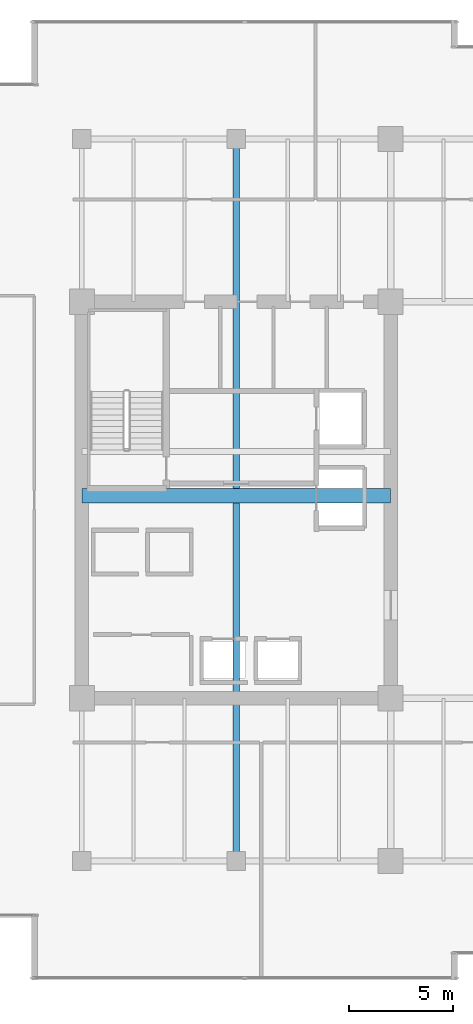
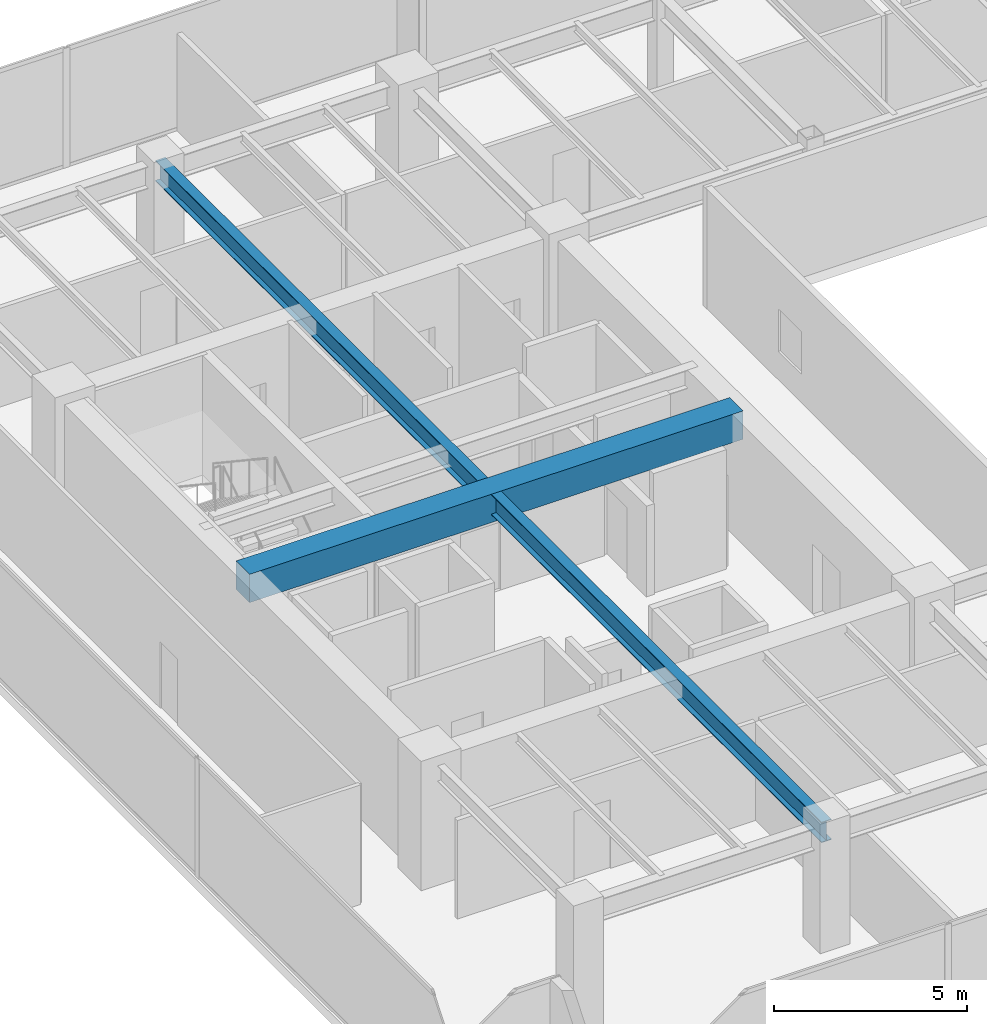
# One storey, part 7 of 30: 2 beams.
"""IFC4 building model written with IfcOpenShell, lengths in metres."""

from ifc_helpers import new_model, si_unit, direction, frame, origin, origin_2d, place, context, subcontext, project, spatial, rectangle, i_section, extrude, source, transform, mapped, material, material_profile, profile_set, type_object, type_shapes, element, save


model = new_model("IFC4")

# Units and contexts
model_context = context("Model", 3, precision=1e-05, world=origin(), true_north=direction((0.0, 1.0)))
body_context = subcontext(model_context, "Body", "Model", "MODEL_VIEW")
ifc_project = project(units=[si_unit("LENGTHUNIT", "METRE"), si_unit("AREAUNIT", "SQUARE_METRE"), si_unit("VOLUMEUNIT", "CUBIC_METRE"), si_unit("PLANEANGLEUNIT", "RADIAN"), si_unit("MASSUNIT", "GRAM", prefix="KILO")], contexts=[model_context])

# Site, building, storey
site_placement = place(None, origin())
site = spatial("IfcSite", under=ifc_project, at=site_placement, CompositionType="ELEMENT")
building_placement = place(site_placement, origin())
building = spatial("IfcBuilding", under=site, at=building_placement, Name="Haelvirn Gate Laboratories", CompositionType="ELEMENT")
storey_placement = place(building_placement, frame((0.0, 0.0, 121.5)))
storey = spatial("IfcBuildingStorey", under=building, at=storey_placement, Name="L29", CompositionType="ELEMENT", Elevation=121.5)

# Beams
ifc_material_1 = material(Name="Concrete C60/75", Category="concrete")
ifc_material_profile_1 = material_profile(ifc_material_1, rectangle(XDim=0.699951171875, YDim=0.89990234375, at=origin_2d()), Name="RCB-700x900")
ifc_profile_set_1 = profile_set([ifc_material_profile_1], Name="Concrete C60/75")
beam_type_1 = type_object("IfcBeamType", Name="BM-RCB-900", PredefinedType="LINTEL", material=ifc_profile_set_1)
shared_shape_1 = source(origin(), body_context, "Body", "SweptSolid", [
    extrude(rectangle(XDim=0.699951171875, YDim=0.89990234375, at=origin_2d()), origin(), (0.0, 0.0, 1.0), 14.800048828125),
])
type_shapes(beam_type_1, [shared_shape_1])
beam_1_placement = place(storey_placement, frame((7.39990234375, 24.5, 3.340087890625), z_axis=(1.0, 0.0, 0.0), x_axis=(0.0, 1.0, 0.0)))
element("IfcBeam", 1, at=beam_1_placement, inside=storey, type_object=beam_type_1, Name="L29 West Core Coupling Beam", PredefinedType="LINTEL", context=body_context, shape_type="MappedRepresentation", body=[
    mapped(shared_shape_1, transform((0.0, 0.0, 0.0), scale=1.0)),
])
ifc_material_2 = material(Name="Steel SM355", Category="steel")
ifc_material_profile_2 = material_profile(ifc_material_2, i_section(OverallWidth=0.300048828125, OverallDepth=0.64990234375, WebThickness=0.012939453125, FlangeThickness=0.02197265625, at=origin_2d()), Name="H-650x300x13x22")
ifc_profile_set_2 = profile_set([ifc_material_profile_2], Name="Steel SM355")
beam_type_2 = type_object("IfcBeamType", Name="BM-G-650", PredefinedType="BEAM", material=ifc_profile_set_2)
shared_shape_2 = source(origin(), body_context, "Body", "SweptSolid", [
    extrude(i_section(OverallWidth=0.300048828125, OverallDepth=0.64990234375, WebThickness=0.012939453125, FlangeThickness=0.02197265625, at=origin_2d()), origin(), (0.0, 0.0, 1.0), 34.60009765625),
])
type_shapes(beam_type_2, [shared_shape_2])
beam_2_placement = place(storey_placement, frame((14.800048828125, 7.0, 3.465087890625), z_axis=(0.0, 1.0, 0.0), x_axis=(-1.0, 0.0, 0.0)))
element("IfcBeam", 2, at=beam_2_placement, inside=storey, type_object=beam_type_2, Name="L29 Frame Girder X14.8 (7.0-41.6)", PredefinedType="BEAM", context=body_context, shape_type="MappedRepresentation", body=[
    mapped(shared_shape_2, transform((0.0, 0.0, 0.0), scale=1.0)),
])

save(model, "model.ifc")
